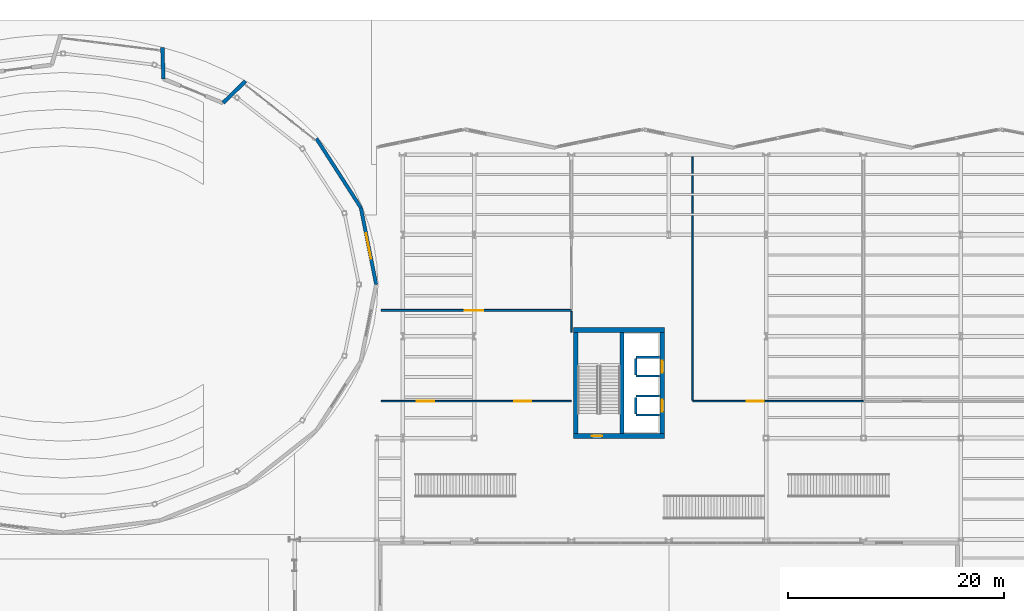
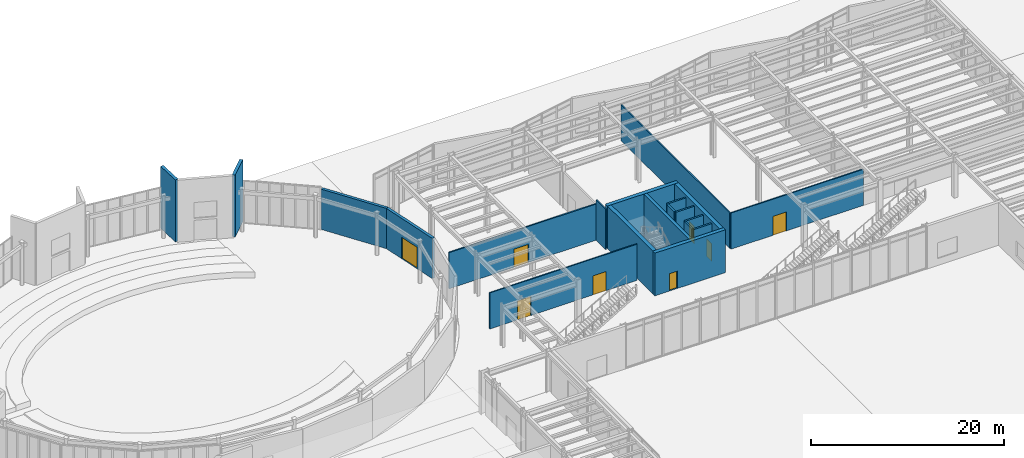
# One storey, part 76 of 94: 20 walls, 8 doors, 8 openings.
"""IFC4 building model written with IfcOpenShell, lengths in metres."""

from ifc_helpers import new_model, si_unit, direction, frame, frame_2d, origin, place, context, subcontext, project, spatial, rectangle, extrude, material, layer, layer_set, type_object, element, fill, save


model = new_model("IFC4")

# Units and contexts
model_context = context("Model", 3, precision=1e-05, world=origin(), true_north=direction((0.0, 1.0)))
body_context = subcontext(model_context, "Body", "Model", "MODEL_VIEW")
ifc_project = project(units=[si_unit("LENGTHUNIT", "METRE"), si_unit("AREAUNIT", "SQUARE_METRE"), si_unit("VOLUMEUNIT", "CUBIC_METRE"), si_unit("PLANEANGLEUNIT", "RADIAN"), si_unit("MASSUNIT", "GRAM", prefix="KILO")], contexts=[model_context])

# Site, building, storey
site_placement = place(None, origin())
site = spatial("IfcSite", under=ifc_project, at=site_placement, CompositionType="ELEMENT")
building_placement = place(site_placement, origin())
building = spatial("IfcBuilding", under=site, at=building_placement, Name="Sollismere Congress Hotel", CompositionType="ELEMENT")
storey_placement = place(building_placement, origin())
storey = spatial("IfcBuildingStorey", under=building, at=storey_placement, Name="L00", CompositionType="ELEMENT", Elevation=0.0)

# Walls
ifc_material_1 = material(Name="Colorado Buff Sandstone and Limestone Backup C40/50", Category="masonry")
ifc_layer_1 = layer(ifc_material_1, 0.340087890625, Name="Colorado Buff Sandstone and Limestone Backup C40/50")
ifc_layer_set_1 = layer_set([ifc_layer_1], Name="Colorado Buff Sandstone and Limestone Backup C40/50")
wall_type_1 = type_object("IfcWallType", Name="WL-EXT340", PredefinedType="STANDARD", material=ifc_layer_set_1)
wall_1_placement = place(storey_placement, frame((45.86279296875, 109.197021484375, 0.0), z_axis=(0.0, 0.0, 1.0), x_axis=(-0.716690638057, -0.697391231176, 0.0)))
element("IfcWall", 1, at=wall_1_placement, inside=storey, type_object=wall_type_1, Name="Exterior wall EW-L00-009", PredefinedType="STANDARD", context=body_context, shape_type="SweptSolid", body=[
    extrude(rectangle(XDim=2.89697265625, YDim=0.340087890625, at=frame_2d((1.448486328125, 0.0))), origin(), (0.0, 0.0, 1.0), 7.820068359375),
])
wall_2_placement = place(storey_placement, frame((38.276123046875, 109.3984375, 0.0), z_axis=(0.0, 0.0, 1.0), x_axis=(-0.032531890498, 0.99947069797, 0.0)))
element("IfcWall", 2, at=wall_2_placement, inside=storey, type_object=wall_type_1, Name="Exterior wall EW-L00-010", PredefinedType="STANDARD", context=body_context, shape_type="SweptSolid", body=[
    extrude(rectangle(XDim=2.896728515625, YDim=0.340087890625, at=frame_2d((1.4482421875, 0.0))), origin(), (0.0, 0.0, 1.0), 7.820068359375),
])
ifc_material_2 = material(Name="Moisture-Resistant Shaft Gypsum Assembly")
ifc_layer_2 = layer(ifc_material_2, 0.199951171875, Name="Moisture-Resistant Shaft Gypsum Assembly")
ifc_layer_set_2 = layer_set([ifc_layer_2], Name="Moisture-Resistant Shaft Gypsum Assembly")
wall_type_2 = type_object("IfcWallType", Name="WL-PLM200", PredefinedType="PLUMBINGWALL", material=ifc_layer_set_2)
for number, where, z_axis, x_axis, name in (
    (3, (81.955078125, 78.330078125, 0.0), (0.0, 0.0, 1.0), (1.0, 0.0, 0.0), "Interior wall IW-L00-0576"),
    (4, (81.955078125, 80.070068359375, 0.0), (0.0, 0.0, 1.0), (1.0, 0.0, 0.0), "Interior wall IW-L00-0577"),
):
    element("IfcWall", number, at=place(storey_placement, frame(where, z_axis=z_axis, x_axis=x_axis)), inside=storey, type_object=wall_type_2, Name=name, PredefinedType="PLUMBINGWALL", context=body_context, shape_type="SweptSolid", body=[
        extrude(rectangle(XDim=2.2080078125, YDim=0.199951171875, at=frame_2d((1.10400390625, 0.0))), origin(), (0.0, 0.0, 1.0), 5.090087890625),
    ])
wall_3_placement = place(storey_placement, frame((81.955078125, 78.44189453125, 0.0), z_axis=(0.0, 0.0, 1.0), x_axis=(0.0, 1.0, 0.0)))
element("IfcWall", 5, at=wall_3_placement, inside=storey, type_object=wall_type_2, Name="Interior wall IW-L00-0578", PredefinedType="PLUMBINGWALL", context=body_context, shape_type="SweptSolid", body=[
    extrude(rectangle(XDim=1.51611328125, YDim=0.199951171875, at=frame_2d((0.758056640625, 0.0))), origin(), (0.0, 0.0, 1.0), 5.090087890625),
])
for number, where, z_axis, x_axis, name in (
    (6, (81.955078125, 81.929931640625, 0.0), (0.0, 0.0, 1.0), (1.0, 0.0, 0.0), "Interior wall IW-L00-0579"),
    (7, (81.955078125, 83.669921875, 0.0), (0.0, 0.0, 1.0), (1.0, 0.0, 0.0), "Interior wall IW-L00-0580"),
):
    element("IfcWall", number, at=place(storey_placement, frame(where, z_axis=z_axis, x_axis=x_axis)), inside=storey, type_object=wall_type_2, Name=name, PredefinedType="PLUMBINGWALL", context=body_context, shape_type="SweptSolid", body=[
        extrude(rectangle(XDim=2.2080078125, YDim=0.199951171875, at=frame_2d((1.10400390625, 0.0))), origin(), (0.0, 0.0, 1.0), 5.090087890625),
    ])
wall_4_placement = place(storey_placement, frame((81.955078125, 82.0419921875, 0.0), z_axis=(0.0, 0.0, 1.0), x_axis=(0.0, 1.0, 0.0)))
element("IfcWall", 8, at=wall_4_placement, inside=storey, type_object=wall_type_2, Name="Interior wall IW-L00-0581", PredefinedType="PLUMBINGWALL", context=body_context, shape_type="SweptSolid", body=[
    extrude(rectangle(XDim=1.51611328125, YDim=0.199951171875, at=frame_2d((0.758056640625, 0.0))), origin(), (0.0, 0.0, 1.0), 5.090087890625),
])

# Wall, openings, doors
ifc_material_3 = material(Name="Fire-Rated Gypsum Partition")
ifc_layer_3 = layer(ifc_material_3, 0.139892578125, Name="Fire-Rated Gypsum Partition")
ifc_layer_set_3 = layer_set([ifc_layer_3], Name="Fire-Rated Gypsum Partition")
wall_type_3 = type_object("IfcWallType", Name="WL-PRT140R", PredefinedType="PARTITIONING", material=ifc_layer_set_3)
wall_5_placement = place(storey_placement, frame((58.39990234375, 79.60009765625, 0.0), z_axis=(0.0, 0.0, 1.0), x_axis=(1.0, 0.0, 0.0)))
wall_5 = element("IfcWall", 9, at=wall_5_placement, inside=storey, type_object=wall_type_3, Name="Interior wall IW-L00-0806", PredefinedType="PARTITIONING", context=body_context, shape_type="SweptSolid", body=[
    extrude(rectangle(XDim=17.60009765625, YDim=0.139892578125, at=frame_2d((8.800048828125, 0.0))), origin(), (0.0, 0.0, 1.0), 4.56396484375),
])
opening_1_placement = place(wall_5_placement, frame((12.300048828125, 0.0, 0.0)))
opening_1 = element("IfcOpeningElement", 10, at=opening_1_placement, cuts=wall_5, Name="Opening D-L00-0276", PredefinedType="OPENING", context=body_context, shape_type="SweptSolid", body=[
    extrude(rectangle(XDim=1.60009765625, YDim=2.39990234375, at=frame_2d((0.800048828125, 1.199951171875))), frame((0.0, 0.079833984375, 0.0), z_axis=(0.0, -1.0, 0.0), x_axis=(1.0, 0.0, 0.0)), (0.0, 0.0, 1.0), 0.159912109375),
])
opening_2_placement = place(wall_5_placement, frame((3.300048828125, 0.0, 0.0)))
opening_2 = element("IfcOpeningElement", 11, at=opening_2_placement, cuts=wall_5, Name="Opening D-L00-0277", PredefinedType="OPENING", context=body_context, shape_type="SweptSolid", body=[
    extrude(rectangle(XDim=1.60009765625, YDim=2.39990234375, at=frame_2d((0.800048828125, 1.199951171875))), frame((0.0, 0.079833984375, 0.0), z_axis=(0.0, -1.0, 0.0), x_axis=(1.0, 0.0, 0.0)), (0.0, 0.0, 1.0), 0.159912109375),
])
ifc_material_4 = material(Name="Acoustic Oak Double Meeting Door")
door_type_1 = type_object("IfcDoorType", Name="DR-MT160", OperationType="NOTDEFINED", PredefinedType="DOOR", material=ifc_material_4)
door_1_placement = place(opening_1_placement, origin())
door_1 = element("IfcDoor", 12, at=door_1_placement, inside=storey, type_object=door_type_1, Name="Interior door D-L00-0276", OperationType="DOUBLE_DOOR_SINGLE_SWING", OverallHeight=2.39990234375, OverallWidth=1.60009765625, PredefinedType="DOOR", context=body_context, shape_type="SweptSolid", body=[
    extrude(rectangle(XDim=1.60009765625, YDim=2.39990234375, at=frame_2d((0.800048828125, 1.199951171875))), frame((0.0, 0.02490234375, 0.0), z_axis=(0.0, -1.0, 0.0), x_axis=(1.0, 0.0, 0.0)), (0.0, 0.0, 1.0), 0.050048828125),
])
fill(opening_1, door_1)
door_2_placement = place(opening_2_placement, origin())
door_2 = element("IfcDoor", 13, at=door_2_placement, inside=storey, type_object=door_type_1, Name="Interior door D-L00-0277", OperationType="DOUBLE_DOOR_SINGLE_SWING", OverallHeight=2.39990234375, OverallWidth=1.60009765625, PredefinedType="DOOR", context=body_context, shape_type="SweptSolid", body=[
    extrude(rectangle(XDim=1.60009765625, YDim=2.39990234375, at=frame_2d((0.800048828125, 1.199951171875))), frame((0.0, 0.02490234375, 0.0), z_axis=(0.0, -1.0, 0.0), x_axis=(1.0, 0.0, 0.0)), (0.0, 0.0, 1.0), 0.050048828125),
])
fill(opening_2, door_2)

# Wall, opening, door
wall_6_placement = place(storey_placement, frame((87.199951171875, 79.60009765625, 0.0), z_axis=(0.0, 0.0, 1.0), x_axis=(1.0, 0.0, 0.0)))
wall_6 = element("IfcWall", 14, at=wall_6_placement, inside=storey, type_object=wall_type_3, Name="Interior wall IW-L00-0807", PredefinedType="PARTITIONING", context=body_context, shape_type="SweptSolid", body=[
    extrude(rectangle(XDim=15.800048828125, YDim=0.139892578125, at=frame_2d((7.89990234375, 0.0))), origin(), (0.0, 0.0, 1.0), 4.56396484375),
])
opening_3_placement = place(wall_6_placement, frame((5.0, 0.0, 0.0)))
opening_3 = element("IfcOpeningElement", 15, at=opening_3_placement, cuts=wall_6, Name="Opening D-L00-0278", PredefinedType="OPENING", context=body_context, shape_type="SweptSolid", body=[
    extrude(rectangle(XDim=1.60009765625, YDim=2.39990234375, at=frame_2d((0.800048828125, 1.199951171875))), frame((0.0, 0.079833984375, 0.0), z_axis=(0.0, -1.0, 0.0), x_axis=(1.0, 0.0, 0.0)), (0.0, 0.0, 1.0), 0.159912109375),
])
door_3_placement = place(opening_3_placement, origin())
door_3 = element("IfcDoor", 16, at=door_3_placement, inside=storey, type_object=door_type_1, Name="Interior door D-L00-0278", OperationType="DOUBLE_DOOR_SINGLE_SWING", OverallHeight=2.39990234375, OverallWidth=1.60009765625, PredefinedType="DOOR", context=body_context, shape_type="SweptSolid", body=[
    extrude(rectangle(XDim=1.60009765625, YDim=2.39990234375, at=frame_2d((0.800048828125, 1.199951171875))), frame((0.0, 0.02490234375, 0.0), z_axis=(0.0, -1.0, 0.0), x_axis=(1.0, 0.0, 0.0)), (0.0, 0.0, 1.0), 0.050048828125),
])
fill(opening_3, door_3)

# Walls
wall_7_placement = place(storey_placement, frame((76.0, 85.97509765625, 0.0), z_axis=(0.0, 0.0, 1.0), x_axis=(0.0, 1.0, 0.0)))
element("IfcWall", 17, at=wall_7_placement, inside=storey, type_object=wall_type_3, Name="Interior wall IW-L00-0826", PredefinedType="PARTITIONING", context=body_context, shape_type="SweptSolid", body=[
    extrude(rectangle(XDim=1.930419921875, YDim=0.139892578125, at=frame_2d((0.96533203125, 0.0))), origin(), (0.0, 0.0, 1.0), 5.090087890625),
])
wall_8_placement = place(storey_placement, frame((87.199951171875, 79.681884765625, 0.0), z_axis=(0.0, 0.0, 1.0), x_axis=(0.0, 1.0, 0.0)))
element("IfcWall", 18, at=wall_8_placement, inside=storey, type_object=wall_type_3, Name="Interior wall IW-L00-0828", PredefinedType="PARTITIONING", context=body_context, shape_type="SweptSolid", body=[
    extrude(rectangle(XDim=22.51806640625, YDim=0.139892578125, at=frame_2d((11.259033203125, 0.0))), origin(), (0.0, 0.0, 1.0), 4.5029296875),
])

# Wall, opening, door
ifc_material_5 = material(Name="Fire-Rated Acoustic Gypsum Partition")
ifc_layer_4 = layer(ifc_material_5, 0.1650390625, Name="Fire-Rated Acoustic Gypsum Partition")
ifc_layer_set_4 = layer_set([ifc_layer_4], Name="Fire-Rated Acoustic Gypsum Partition")
wall_type_4 = type_object("IfcWallType", Name="WL-PRT165R", PredefinedType="PARTITIONING", material=ifc_layer_set_4)
wall_9_placement = place(storey_placement, frame((58.39990234375, 88.0, 0.0), z_axis=(0.0, 0.0, 1.0), x_axis=(1.0, 0.0, 0.0)))
wall_9 = element("IfcWall", 19, at=wall_9_placement, inside=storey, type_object=wall_type_4, Name="Interior wall IW-L00-0809", PredefinedType="PARTITIONING", context=body_context, shape_type="SweptSolid", body=[
    extrude(rectangle(XDim=17.60009765625, YDim=0.1650390625, at=frame_2d((8.800048828125, 0.0))), origin(), (0.0, 0.0, 1.0), 4.56396484375),
])
opening_4_placement = place(wall_9_placement, frame((7.75, 0.0, 0.0)))
opening_4 = element("IfcOpeningElement", 20, at=opening_4_placement, cuts=wall_9, Name="Opening D-L00-0280", PredefinedType="OPENING", context=body_context, shape_type="SweptSolid", body=[
    extrude(rectangle(XDim=1.699951171875, YDim=2.300048828125, at=frame_2d((0.85009765625, 1.14990234375))), frame((0.0, 0.092529296875, 0.0), z_axis=(0.0, -1.0, 0.0), x_axis=(1.0, 0.0, 0.0)), (0.0, 0.0, 1.0), 0.18505859375),
])
ifc_material_6 = material(Name="Stainless Double Banquet Kitchen Door")
door_type_2 = type_object("IfcDoorType", Name="DR-KT170", OperationType="NOTDEFINED", PredefinedType="DOOR", material=ifc_material_6)
door_4_placement = place(opening_4_placement, origin())
door_4 = element("IfcDoor", 21, at=door_4_placement, inside=storey, type_object=door_type_2, Name="Interior door D-L00-0280", OperationType="DOUBLE_DOOR_SINGLE_SWING", OverallHeight=2.300048828125, OverallWidth=1.699951171875, PredefinedType="DOOR", context=body_context, shape_type="SweptSolid", body=[
    extrude(rectangle(XDim=1.699951171875, YDim=2.300048828125, at=frame_2d((0.85009765625, 1.14990234375))), frame((0.0, 0.02490234375, 0.0), z_axis=(0.0, -1.0, 0.0), x_axis=(1.0, 0.0, 0.0)), (0.0, 0.0, 1.0), 0.050048828125),
])
fill(opening_4, door_4)

# Wall
ifc_material_7 = material(Name="Concrete C50/60", Category="concrete")
ifc_layer_5 = layer(ifc_material_7, 0.35009765625, Name="Concrete C50/60")
ifc_layer_set_5 = layer_set([ifc_layer_5], Name="Concrete C50/60")
wall_type_5 = type_object("IfcWallType", Name="WL-SHR350", PredefinedType="SHEAR", material=ifc_layer_set_5)
wall_10_placement = place(storey_placement, frame((80.675048828125, 76.625, 0.0), z_axis=(0.0, 0.0, 1.0), x_axis=(0.0, 1.0, 0.0)))
element("IfcWall", 22, at=wall_10_placement, inside=storey, type_object=wall_type_5, Name="Interior wall IW-L00-0575", PredefinedType="SHEAR", context=body_context, shape_type="SweptSolid", body=[
    extrude(rectangle(XDim=9.35009765625, YDim=0.35009765625, at=frame_2d((4.675048828125, 0.0))), origin(), (0.0, 0.0, 1.0), 5.39990234375),
])

# Wall, opening, door
ifc_layer_6 = layer(ifc_material_7, 0.449951171875, Name="Concrete C50/60")
ifc_layer_set_6 = layer_set([ifc_layer_6], Name="Concrete C50/60")
wall_type_6 = type_object("IfcWallType", Name="WL-SHR450", PredefinedType="SHEAR", material=ifc_layer_set_6)
wall_11_placement = place(storey_placement, frame((76.175048828125, 76.39990234375, 0.0), z_axis=(0.0, 0.0, 1.0), x_axis=(1.0, 0.0, 0.0)))
wall_11 = element("IfcWall", 23, at=wall_11_placement, inside=storey, type_object=wall_type_6, Name="Interior wall IW-L00-0571", PredefinedType="SHEAR", context=body_context, shape_type="SweptSolid", body=[
    extrude(rectangle(XDim=8.449951171875, YDim=0.449951171875, at=frame_2d((4.22509765625, 0.0))), origin(), (0.0, 0.0, 1.0), 5.39990234375),
])
opening_5_placement = place(wall_11_placement, frame((1.72509765625, 0.0, 0.0)))
opening_5 = element("IfcOpeningElement", 24, at=opening_5_placement, cuts=wall_11, Name="Opening D-ST-04-L00", PredefinedType="OPENING", context=body_context, shape_type="SweptSolid", body=[
    extrude(rectangle(XDim=0.949951171875, YDim=2.199951171875, at=frame_2d((0.47509765625, 1.10009765625))), frame((0.0, 0.23486328125, 0.0), z_axis=(0.0, -1.0, 0.0), x_axis=(1.0, 0.0, 0.0)), (0.0, 0.0, 1.0), 0.469970703125),
])
ifc_material_8 = material(Name="Fire-Rated Insulated Steel Door", Category="steel")
door_type_3 = type_object("IfcDoorType", Name="DR-FD90", OperationType="NOTDEFINED", PredefinedType="DOOR", material=ifc_material_8)
door_5_placement = place(opening_5_placement, frame((0.949951171875, 0.0, 0.0), z_axis=(0.0, 0.0, 1.0), x_axis=(-1.0, 0.0, 0.0)))
door_5 = element("IfcDoor", 25, at=door_5_placement, inside=storey, type_object=door_type_3, Name="Exit stair fire door D-ST-04-L00", OperationType="SINGLE_SWING_LEFT", OverallHeight=2.199951171875, OverallWidth=0.949951171875, PredefinedType="DOOR", context=body_context, shape_type="SweptSolid", body=[
    extrude(rectangle(XDim=0.949951171875, YDim=2.199951171875, at=frame_2d((0.47509765625, 1.10009765625))), frame((0.0, 0.02490234375, 0.0), z_axis=(0.0, -1.0, 0.0), x_axis=(1.0, 0.0, 0.0)), (0.0, 0.0, 1.0), 0.050048828125),
])
fill(opening_5, door_5)

# Walls
wall_12_placement = place(storey_placement, frame((84.625, 86.199951171875, 0.0), z_axis=(0.0, 0.0, 1.0), x_axis=(-1.0, 0.0, 0.0)))
element("IfcWall", 26, at=wall_12_placement, inside=storey, type_object=wall_type_6, Name="Interior wall IW-L00-0572", PredefinedType="SHEAR", context=body_context, shape_type="SweptSolid", body=[
    extrude(rectangle(XDim=8.449951171875, YDim=0.449951171875, at=frame_2d((4.22509765625, 0.0))), origin(), (0.0, 0.0, 1.0), 5.39990234375),
])
wall_13_placement = place(storey_placement, frame((76.39990234375, 85.97509765625, 0.0), z_axis=(0.0, 0.0, 1.0), x_axis=(0.0, -1.0, 0.0)))
element("IfcWall", 27, at=wall_13_placement, inside=storey, type_object=wall_type_6, Name="Interior wall IW-L00-0573", PredefinedType="SHEAR", context=body_context, shape_type="SweptSolid", body=[
    extrude(rectangle(XDim=9.35009765625, YDim=0.449951171875, at=frame_2d((4.675048828125, 0.0))), origin(), (0.0, 0.0, 1.0), 5.39990234375),
])

# Wall, openings, doors
wall_14_placement = place(storey_placement, frame((84.39990234375, 76.625, 0.0), z_axis=(0.0, 0.0, 1.0), x_axis=(0.0, 1.0, 0.0)))
wall_14 = element("IfcWall", 28, at=wall_14_placement, inside=storey, type_object=wall_type_6, Name="Interior wall IW-L00-0574", PredefinedType="SHEAR", context=body_context, shape_type="SweptSolid", body=[
    extrude(rectangle(XDim=9.35009765625, YDim=0.449951171875, at=frame_2d((4.675048828125, 0.0))), origin(), (0.0, 0.0, 1.0), 5.39990234375),
])
opening_6_placement = place(wall_14_placement, frame((2.02490234375, 0.0, 0.0)))
opening_6 = element("IfcOpeningElement", 29, at=opening_6_placement, cuts=wall_14, Name="Opening LD-LP-07-L00", PredefinedType="OPENING", context=body_context, shape_type="SweptSolid", body=[
    extrude(rectangle(XDim=1.10009765625, YDim=2.199951171875, at=frame_2d((0.550048828125, 1.10009765625))), frame((0.0, 0.23486328125, 0.0), z_axis=(0.0, -1.0, 0.0), x_axis=(1.0, 0.0, 0.0)), (0.0, 0.0, 1.0), 0.469970703125),
])
opening_7_placement = place(wall_14_placement, frame((5.625, 0.0, 0.0)))
opening_7 = element("IfcOpeningElement", 30, at=opening_7_placement, cuts=wall_14, Name="Opening LD-LP-08-L00", PredefinedType="OPENING", context=body_context, shape_type="SweptSolid", body=[
    extrude(rectangle(XDim=1.10009765625, YDim=2.199951171875, at=frame_2d((0.550048828125, 1.10009765625))), frame((0.0, 0.23486328125, 0.0), z_axis=(0.0, -1.0, 0.0), x_axis=(1.0, 0.0, 0.0)), (0.0, 0.0, 1.0), 0.469970703125),
])
ifc_material_9 = material(Name="Brushed Bronze Sliding Elevator Landing Door")
door_type_4 = type_object("IfcDoorType", Name="DR-LD110", OperationType="NOTDEFINED", PredefinedType="DOOR", material=ifc_material_9)
door_6_placement = place(opening_6_placement, origin())
door_6 = element("IfcDoor", 31, at=door_6_placement, inside=storey, type_object=door_type_4, Name="Elevator landing door LD-LP-07-L00", OperationType="SLIDING_TO_LEFT", OverallHeight=2.199951171875, OverallWidth=1.10009765625, PredefinedType="DOOR", context=body_context, shape_type="SweptSolid", body=[
    extrude(rectangle(XDim=1.10009765625, YDim=2.199951171875, at=frame_2d((0.550048828125, 1.10009765625))), frame((0.0, 0.02490234375, 0.0), z_axis=(0.0, -1.0, 0.0), x_axis=(1.0, 0.0, 0.0)), (0.0, 0.0, 1.0), 0.050048828125),
])
fill(opening_6, door_6)
door_7_placement = place(opening_7_placement, origin())
door_7 = element("IfcDoor", 32, at=door_7_placement, inside=storey, type_object=door_type_4, Name="Elevator landing door LD-LP-08-L00", OperationType="SLIDING_TO_RIGHT", OverallHeight=2.199951171875, OverallWidth=1.10009765625, PredefinedType="DOOR", context=body_context, shape_type="SweptSolid", body=[
    extrude(rectangle(XDim=1.10009765625, YDim=2.199951171875, at=frame_2d((0.550048828125, 1.10009765625))), frame((0.0, 0.02490234375, 0.0), z_axis=(0.0, -1.0, 0.0), x_axis=(1.0, 0.0, 0.0)), (0.0, 0.0, 1.0), 0.050048828125),
])
fill(opening_7, door_7)

# Wall, opening, door
ifc_material_10 = material(Name="Acoustic Double-Wythe Concrete Block & Gypsum C40/50", Category="concrete")
ifc_layer_7 = layer(ifc_material_10, 0.320068359375, Name="Acoustic Double-Wythe Concrete Block & Gypsum C40/50")
ifc_layer_set_7 = layer_set([ifc_layer_7], Name="Acoustic Double-Wythe Concrete Block & Gypsum C40/50")
wall_type_7 = type_object("IfcWallType", Name="WL-SLD320I", PredefinedType="PARTITIONING", material=ifc_layer_set_7)
wall_15_placement = place(storey_placement, frame((57.949951171875, 90.39990234375, 0.0), z_axis=(0.0, 0.0, 1.0), x_axis=(-0.195895407339, 0.980624795415, 0.0)))
wall_15 = element("IfcWall", 33, at=wall_15_placement, inside=storey, type_object=wall_type_7, Name="Interior wall IW-L00-0735", PredefinedType="PARTITIONING", context=body_context, shape_type="SweptSolid", body=[
    extrude(rectangle(XDim=7.232177734375, YDim=0.320068359375, at=frame_2d((3.6162109375, 0.0))), origin(), (0.0, 0.0, 1.0), 5.090087890625),
])
opening_8_placement = place(wall_15_placement, frame((2.416015625, 0.0, 0.0)))
opening_8 = element("IfcOpeningElement", 34, at=opening_8_placement, cuts=wall_15, Name="Opening D-L00-0241", PredefinedType="OPENING", context=body_context, shape_type="SweptSolid", body=[
    extrude(rectangle(XDim=2.39990234375, YDim=2.699951171875, at=frame_2d((1.199951171875, 1.35009765625))), frame((0.0, 0.169921875, 0.0), z_axis=(0.0, -1.0, 0.0), x_axis=(1.0, 0.0, 0.0)), (0.0, 0.0, 1.0), 0.340087890625),
])
ifc_material_11 = material(Name="Acoustic Walnut Double Ballroom Door")
door_type_5 = type_object("IfcDoorType", Name="DR-BL240", OperationType="NOTDEFINED", PredefinedType="DOOR", material=ifc_material_11)
door_8_placement = place(opening_8_placement, origin())
door_8 = element("IfcDoor", 35, at=door_8_placement, inside=storey, type_object=door_type_5, Name="Congress hall acoustic foyer door D-L00-0241", OperationType="DOUBLE_DOOR_SINGLE_SWING", OverallHeight=2.699951171875, OverallWidth=2.39990234375, PredefinedType="DOOR", context=body_context, shape_type="SweptSolid", body=[
    extrude(rectangle(XDim=2.39990234375, YDim=2.699951171875, at=frame_2d((1.199951171875, 1.35009765625))), frame((0.0, 0.02490234375, 0.0), z_axis=(0.0, -1.0, 0.0), x_axis=(1.0, 0.0, 0.0)), (0.0, 0.0, 1.0), 0.050048828125),
])
fill(opening_8, door_8)

# Wall
wall_16_placement = place(storey_placement, frame((56.533203125, 97.491943359375, 0.0), z_axis=(0.0, 0.0, 1.0), x_axis=(-0.540710539792, 0.841208720924, 0.0)))
element("IfcWall", 36, at=wall_16_placement, inside=storey, type_object=wall_type_7, Name="Interior wall IW-L00-0736", PredefinedType="PARTITIONING", context=body_context, shape_type="SweptSolid", body=[
    extrude(rectangle(XDim=7.60546875, YDim=0.320068359375, at=frame_2d((3.802734375, 0.0))), origin(), (0.0, 0.0, 1.0), 5.090087890625),
])

save(model, "model.ifc")
